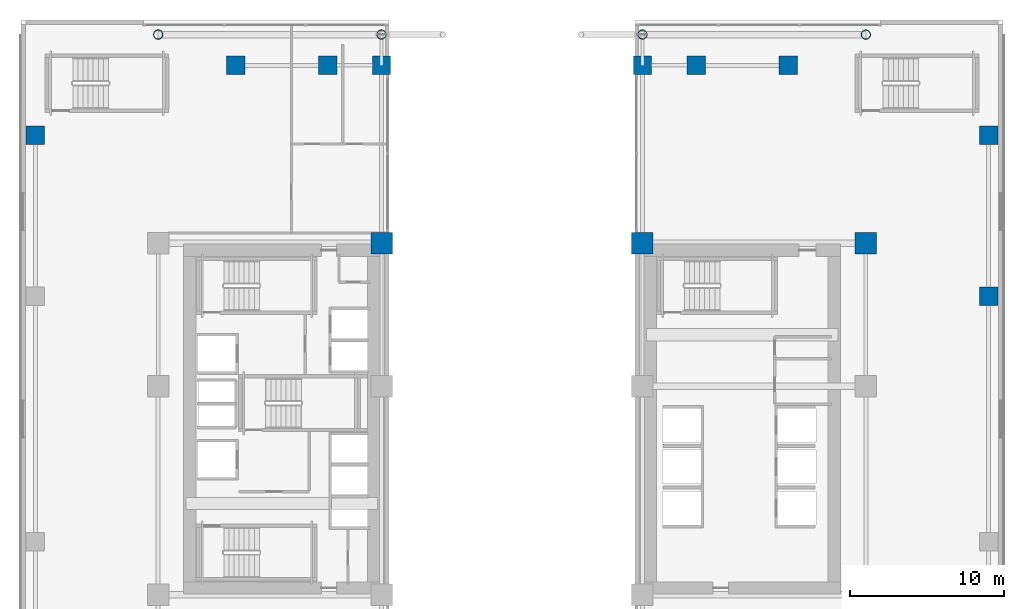
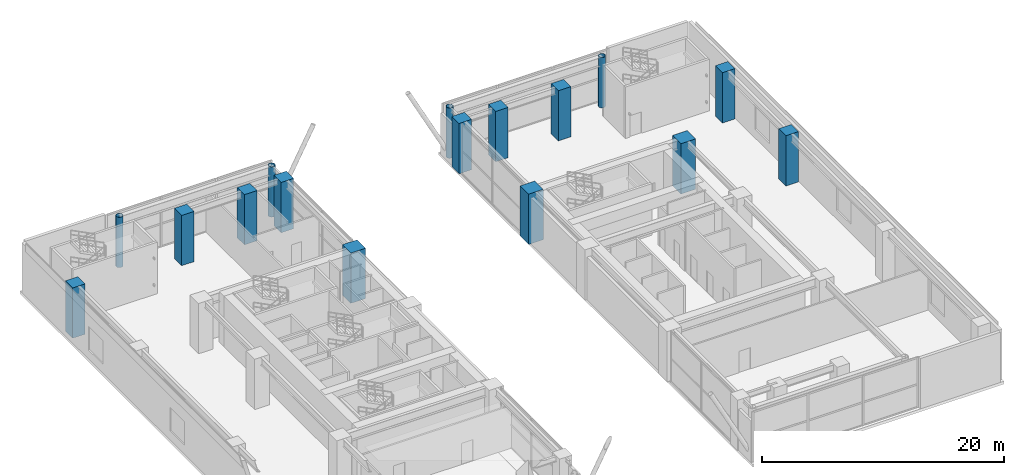
# One storey, part 2 of 29: 16 columns.
"""IFC4 building model written with IfcOpenShell, lengths in metres."""

from ifc_helpers import new_model, si_unit, direction, frame, origin, origin_2d, place, context, subcontext, project, spatial, rectangle, hollow_circle, extrude, source, transform, mapped, material, material_profile, profile_set, type_object, element, save


model = new_model("IFC4")

# Units and contexts
model_context = context("Model", 3, precision=1e-05, world=origin(), true_north=direction((0.0, 1.0)))
body_context = subcontext(model_context, "Body", "Model", "MODEL_VIEW")
ifc_project = project(units=[si_unit("LENGTHUNIT", "METRE"), si_unit("AREAUNIT", "SQUARE_METRE"), si_unit("VOLUMEUNIT", "CUBIC_METRE"), si_unit("PLANEANGLEUNIT", "RADIAN"), si_unit("MASSUNIT", "GRAM", prefix="KILO")], contexts=[model_context])

# Site, building, storey
site_placement = place(None, origin())
site = spatial("IfcSite", under=ifc_project, at=site_placement, CompositionType="ELEMENT")
building_placement = place(site_placement, origin())
building = spatial("IfcBuilding", under=site, at=building_placement, Name="Ocotamira Hotel", CompositionType="ELEMENT")
storey_placement = place(building_placement, frame((0.0, 0.0, 6.0)))
storey = spatial("IfcBuildingStorey", under=building, at=storey_placement, Name="L02", CompositionType="ELEMENT", Elevation=6.0)

# Columns
ifc_material_1 = material(Name="Concrete C60/75", Category="concrete")
ifc_material_profile_1 = material_profile(ifc_material_1, rectangle(XDim=1.199951171875, YDim=1.199951171875, at=origin_2d()), Name="RC1200X1200")
ifc_profile_set_1 = profile_set([ifc_material_profile_1], Name="Concrete C60/75")
column_type_1 = type_object("IfcColumnType", Name="COL-RC1200", PredefinedType="COLUMN", material=ifc_profile_set_1)
shared_shape_1 = source(origin(), body_context, "Body", "SweptSolid", [
    extrude(rectangle(XDim=1.199951171875, YDim=1.199951171875, at=origin_2d()), origin(), (0.0, 0.0, 1.0), 5.080078125),
])
for number, where, z_axis, x_axis, name in (
    (1, (63.050048828125, 34.0, 0.0), (0.0, 0.0, 1.0), (1.0, 0.0, 0.0), "L02 Column PE3"),
    (2, (0.949951171875, 44.5, 0.0), (0.0, 0.0, 1.0), (1.0, 0.0, 0.0), "L02 Column PW4"),
    (3, (63.050048828125, 44.5, 0.0), (0.0, 0.0, 1.0), (1.0, 0.0, 0.0), "L02 Column PE4"),
    (4, (14.0, 49.050048828125, 0.0), (0.0, 0.0, 1.0), (1.0, 0.0, 0.0), "L02 Column NSP2_14"),
    (5, (20.0, 49.050048828125, 0.0), (0.0, 0.0, 1.0), (1.0, 0.0, 0.0), "L02 Column NSP2_20"),
    (6, (23.5, 49.050048828125, 0.0), (0.0, 0.0, 1.0), (1.0, 0.0, 0.0), "L02 Column NSP2_23"),
    (7, (40.5, 49.050048828125, 0.0), (0.0, 0.0, 1.0), (1.0, 0.0, 0.0), "L02 Column NSP2_40"),
    (8, (44.0, 49.050048828125, 0.0), (0.0, 0.0, 1.0), (1.0, 0.0, 0.0), "L02 Column NSP2_44"),
    (9, (50.0, 49.050048828125, 0.0), (0.0, 0.0, 1.0), (1.0, 0.0, 0.0), "L02 Column NSP2_50"),
):
    element("IfcColumn", number, at=place(storey_placement, frame(where, z_axis=z_axis, x_axis=x_axis)), inside=storey, type_object=column_type_1, Name=name, PredefinedType="COLUMN", context=body_context, shape_type="MappedRepresentation", body=[
        mapped(shared_shape_1, transform((0.0, 0.0, 0.0), scale=1.0)),
    ])
ifc_material_2 = material(Name="Steel ASTM A501 Grade B", Category="steel")
ifc_material_profile_2 = material_profile(ifc_material_2, hollow_circle(Radius=0.304931640625, WallThickness=0.02490234375, at=origin_2d()), Name="CHS610X25")
ifc_profile_set_2 = profile_set([ifc_material_profile_2], Name="Steel ASTM A501 Grade B")
column_type_2 = type_object("IfcColumnType", Name="COL-CHS610", PredefinedType="COLUMN", material=ifc_profile_set_2)
shared_shape_2 = source(origin(), body_context, "Body", "SweptSolid", [
    extrude(hollow_circle(Radius=0.304931640625, WallThickness=0.02490234375, at=origin_2d()), origin(), (0.0, 0.0, 1.0), 5.080078125),
])
for number, where, z_axis, x_axis, name in (
    (10, (8.949951171875, 51.050048828125, 0.0), (0.0, 0.0, 1.0), (1.0, 0.0, 0.0), "L02 Column PS2_1"),
    (11, (23.5, 51.050048828125, 0.0), (0.0, 0.0, 1.0), (1.0, 0.0, 0.0), "L02 Column PS2_2"),
    (12, (40.5, 51.050048828125, 0.0), (0.0, 0.0, 1.0), (1.0, 0.0, 0.0), "L02 Column PS2_3"),
    (13, (55.050048828125, 51.050048828125, 0.0), (0.0, 0.0, 1.0), (1.0, 0.0, 0.0), "L02 Column PS2_4"),
):
    element("IfcColumn", number, at=place(storey_placement, frame(where, z_axis=z_axis, x_axis=x_axis)), inside=storey, type_object=column_type_2, Name=name, PredefinedType="COLUMN", context=body_context, shape_type="MappedRepresentation", body=[
        mapped(shared_shape_2, transform((0.0, 0.0, 0.0), scale=1.0)),
    ])
ifc_material_profile_3 = material_profile(ifc_material_1, rectangle(XDim=1.39990234375, YDim=1.39990234375, at=origin_2d()), Name="RC1400X1400")
ifc_profile_set_3 = profile_set([ifc_material_profile_3], Name="Concrete C60/75")
column_type_3 = type_object("IfcColumnType", Name="COL-RC1400", PredefinedType="COLUMN", material=ifc_profile_set_3)
shared_shape_3 = source(origin(), body_context, "Body", "SweptSolid", [
    extrude(rectangle(XDim=1.39990234375, YDim=1.39990234375, at=origin_2d()), origin(), (0.0, 0.0, 1.0), 5.080078125),
])
for number, where, z_axis, x_axis, name in (
    (14, (23.5, 37.449951171875, 0.0), (0.0, 0.0, 1.0), (1.0, 0.0, 0.0), "L02 Column TW23_37"),
    (15, (40.5, 37.449951171875, 0.0), (0.0, 0.0, 1.0), (1.0, 0.0, 0.0), "L02 Column TE40_37"),
    (16, (55.050048828125, 37.449951171875, 0.0), (0.0, 0.0, 1.0), (1.0, 0.0, 0.0), "L02 Column TE55_37"),
):
    element("IfcColumn", number, at=place(storey_placement, frame(where, z_axis=z_axis, x_axis=x_axis)), inside=storey, type_object=column_type_3, Name=name, PredefinedType="COLUMN", context=body_context, shape_type="MappedRepresentation", body=[
        mapped(shared_shape_3, transform((0.0, 0.0, 0.0), scale=1.0)),
    ])

save(model, "model.ifc")
